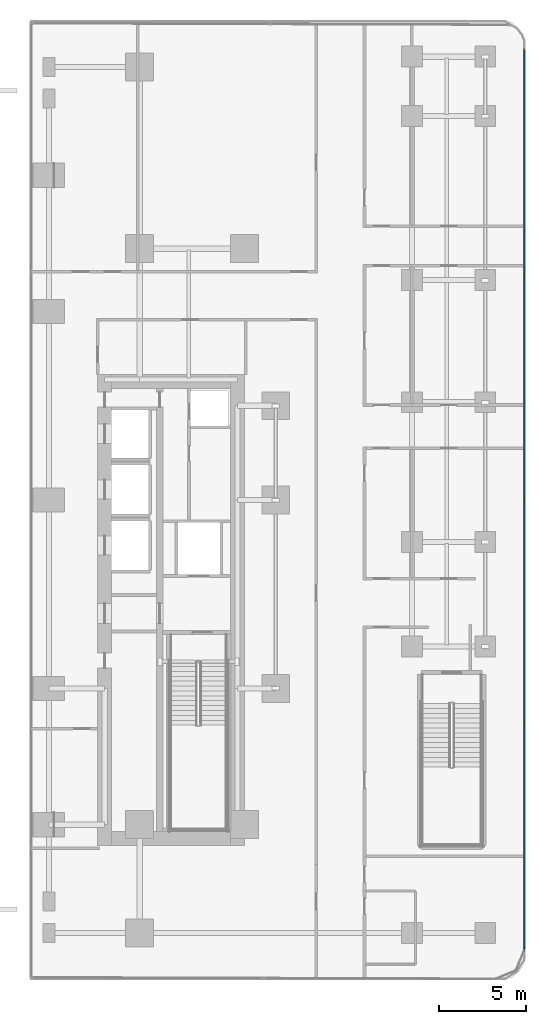
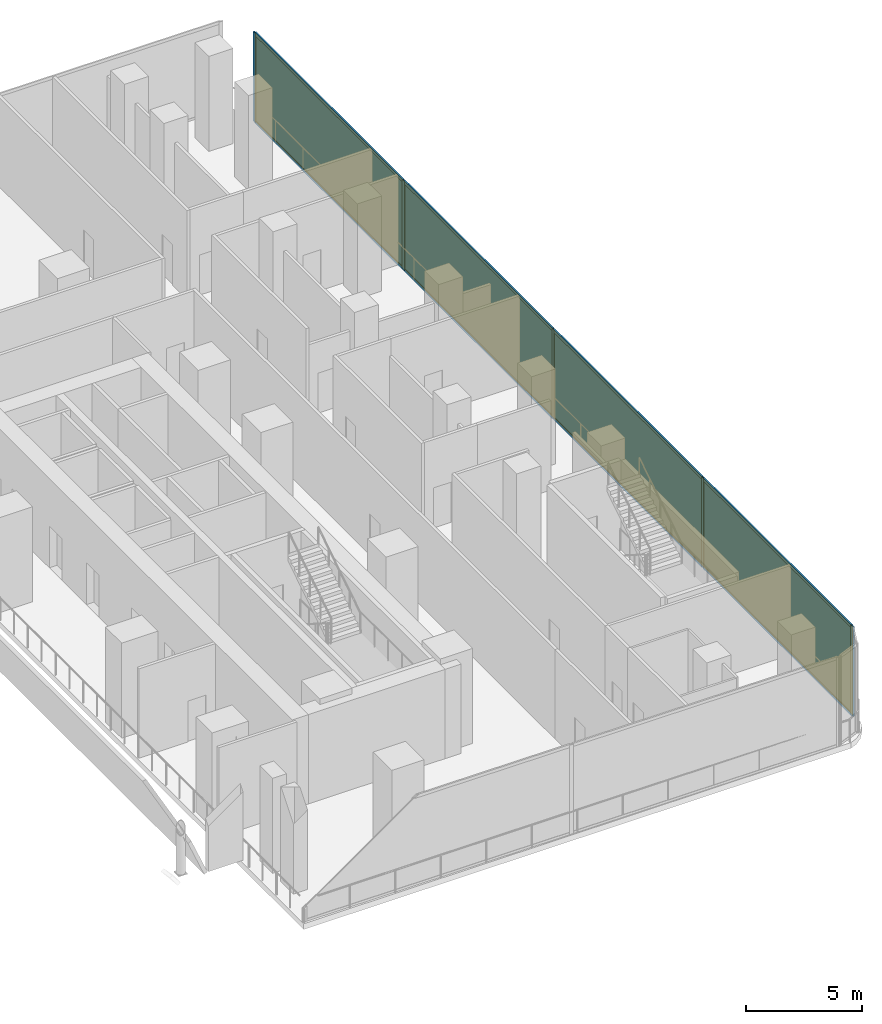
# One storey, part 20 of 31: 13 members, 4 plates, 1 curtain wall.
"""IFC4 building model written with IfcOpenShell, lengths in metres."""

import ifcopenshell
import ifcopenshell.guid

model = None  # the IFC model being written
_history = None  # IfcOwnerHistory: only IFC2X3 demands one
_inside = {}  # id of a spatial element -> (the spatial element, [elements in it])
_under = {}  # id of a project, library or spatial element -> (it, [spatial elements below it])
_declared = {}  # id of a project -> (the project, [libraries it declares])
_typed = {}  # id of a type object -> (the type object, [elements of that type])
_made_of = {}  # id of a material, layer set ... -> (it, [elements and type objects made of it])


def new_model(schema):
    """Start an empty IFC model of exactly this schema.

    Asked for "IFC4X3", IfcOpenShell would pick the latest addendum, in which some entities
    have other attributes; the version numbers below select the first issue.
    IFC2X3 requires an IfcOwnerHistory on every rooted entity: one is made here for all.
    """
    global model, _history
    if schema == "IFC4X3":
        model = ifcopenshell.file(schema_version=(4, 3, 0, 0))
    else:
        model = ifcopenshell.file(schema=schema)
    _inside.clear()
    _under.clear()
    _declared.clear()
    _typed.clear()
    _made_of.clear()
    _history = None
    if model.schema == "IFC2X3":
        org = make("IfcOrganization", Name="unknown")
        user = make(
            "IfcPersonAndOrganization",
            ThePerson=make("IfcPerson", FamilyName="unknown"),
            TheOrganization=org,
        )
        app = make(
            "IfcApplication",
            ApplicationDeveloper=org,
            Version="unknown",
            ApplicationFullName="unknown",
            ApplicationIdentifier="unknown",
        )
        _history = make(
            "IfcOwnerHistory",
            OwningUser=user,
            OwningApplication=app,
            ChangeAction="ADDED",
            CreationDate=0,
        )
    return model


def make(cls, **values):
    """One entity of the class cls with the attributes given. An attribute that is None is left unset."""
    return model.create_entity(
        cls, **{name: value for name, value in values.items() if value is not None}
    )


def rooted(cls, **values):
    """An entity with a GlobalId (a new one), such as an element, a storey or a relation."""
    return make(cls, GlobalId=ifcopenshell.guid.new(), OwnerHistory=_history, **values)


def si_unit(unit_type, name, prefix=None):
    """IfcSIUnit, for example si_unit("LENGTHUNIT", "METRE", prefix="MILLI")."""
    return make("IfcSIUnit", UnitType=unit_type, Prefix=prefix, Name=name)


def assignment(units):
    """IfcUnitAssignment: the units of a project."""
    return None if units is None else make("IfcUnitAssignment", Units=units)


def point(xyz):
    """IfcCartesianPoint."""
    return None if xyz is None else make("IfcCartesianPoint", Coordinates=xyz)


def direction(xyz):
    """IfcDirection."""
    return None if xyz is None else make("IfcDirection", DirectionRatios=xyz)


def frame(location, z_axis=None, x_axis=None):
    """IfcAxis2Placement3D, a coordinate frame: its origin and axes. An axis left out is left unset."""
    return make(
        "IfcAxis2Placement3D",
        Location=point(location),
        Axis=direction(z_axis),
        RefDirection=direction(x_axis),
    )


def frame_2d(location, x_axis=None):
    """IfcAxis2Placement2D, a coordinate frame in the plane: its origin and x axis."""
    return make(
        "IfcAxis2Placement2D", Location=point(location), RefDirection=direction(x_axis)
    )


def origin():
    """The frame at (0, 0, 0) with its axes left unset."""
    return frame((0.0, 0.0, 0.0))


def origin_2d():
    """The frame at (0, 0) in the plane with its x axis left unset."""
    return frame_2d((0.0, 0.0))


def place(relative_to, where):
    """IfcLocalPlacement: puts the frame where relative to a parent placement (None: the world)."""
    return make(
        "IfcLocalPlacement", PlacementRelTo=relative_to, RelativePlacement=where
    )


def context(
    kind, dimensions, precision=None, world=None, true_north=None, identifier=None
):
    """IfcGeometricRepresentationContext, for example the 3D "Model" context."""
    return make(
        "IfcGeometricRepresentationContext",
        ContextIdentifier=identifier,
        ContextType=kind,
        CoordinateSpaceDimension=dimensions,
        Precision=precision,
        WorldCoordinateSystem=world,
        TrueNorth=true_north,
    )


def subcontext(parent, identifier, kind, view, scale=None):
    """IfcGeometricRepresentationSubContext, for example "Body" below "Model"."""
    return make(
        "IfcGeometricRepresentationSubContext",
        ContextIdentifier=identifier,
        ContextType=kind,
        ParentContext=parent,
        TargetScale=scale,
        TargetView=view,
    )


def project(units=None, contexts=None):
    """IfcProject with its units and contexts."""
    return rooted(
        "IfcProject",
        Name="project",
        RepresentationContexts=contexts,
        UnitsInContext=assignment(units),
    )


def spatial(cls, under=None, at=None, **own):
    """A site, building, storey or space (cls), placed at a placement, below another one or the project."""
    s = rooted(cls, ObjectPlacement=at, **own)
    if under is not None:
        _under.setdefault(under.id(), (under, []))[1].append(s)
    return s


def profile(cls, at=None, kind="AREA", **sizes):
    """A parametric profile (cls). Its sizes go by their IFC names, for example OverallWidth=200.0."""
    return make(cls, ProfileType=kind, Position=at, **sizes)


def rectangle(**sizes):
    """IfcRectangleProfileDef."""
    return profile("IfcRectangleProfileDef", **sizes)


def extrude(swept, where, along, depth):
    """IfcExtrudedAreaSolid: the profile swept, set in the frame where, extruded along a direction by depth."""
    return make(
        "IfcExtrudedAreaSolid",
        SweptArea=swept,
        Position=where,
        ExtrudedDirection=direction(along),
        Depth=depth,
    )


def shape(context_of_items, identifier, shape_type, items):
    """IfcShapeRepresentation: the items that make up one representation, for example the "Body"."""
    return make(
        "IfcShapeRepresentation",
        ContextOfItems=context_of_items,
        RepresentationIdentifier=identifier,
        RepresentationType=shape_type,
        Items=items,
    )


def material(Name=None, Category=None):
    """IfcMaterial."""
    return make("IfcMaterial", Name=Name, Category=Category)


def layer(
    of_material, thickness, ventilated=None, Name=None, Category=None, Priority=None
):
    """IfcMaterialLayer: one layer of a wall or slab, of a material (None: an air gap)."""
    return make(
        "IfcMaterialLayer",
        Material=of_material,
        LayerThickness=thickness,
        IsVentilated=ventilated,
        Name=Name,
        Category=Category,
        Priority=Priority,
    )


def layer_set(layers, Name=None):
    """IfcMaterialLayerSet."""
    return make("IfcMaterialLayerSet", MaterialLayers=layers, LayerSetName=Name)


def material_profile(
    of_material, cross_section, Name=None, Category=None, Priority=None
):
    """IfcMaterialProfile: a cross section and its material."""
    return make(
        "IfcMaterialProfile",
        Name=Name,
        Material=of_material,
        Profile=cross_section,
        Priority=Priority,
        Category=Category,
    )


def profile_set(profiles, Name=None, composite=None):
    """IfcMaterialProfileSet."""
    return make(
        "IfcMaterialProfileSet",
        Name=Name,
        MaterialProfiles=profiles,
        CompositeProfile=composite,
    )


def made_of(thing, what):
    """Note that an element or type object is made of a material, layer set ...; save() writes the relation."""
    if what is not None:
        _made_of.setdefault(what.id(), (what, []))[1].append(thing)
    return thing


def type_object(cls, material=None, **own):
    """A type object (cls), such as IfcWallType, which elements share."""
    return made_of(rooted(cls, **own), material)


def element(
    cls,
    number,
    at=None,
    inside=None,
    cuts=None,
    type_object=None,
    material=None,
    context=None,
    identifier="Body",
    shape_type=None,
    held_by="IfcProductDefinitionShape",
    body=None,
    shapes=None,
    **own,
):
    """One element of the class cls, such as IfcWall. Its Tag is "e" and its number.

    at: its placement. inside: the storey or other place that contains it. cuts: it is an
    opening in that element (IfcRelVoidsElement). A single representation is given by context,
    identifier, shape_type and body (its items); several are given by shapes. held_by: the class
    of the entity that holds the representations. save() writes the other relations.
    """
    e = rooted(cls, Tag="e%d" % number, ObjectPlacement=at, **own)
    if body is not None:
        shapes = [shape(context, identifier, shape_type, body)]
    if shapes is not None:
        e.Representation = make(held_by, Representations=shapes)
    if inside is not None:
        _inside.setdefault(inside.id(), (inside, []))[1].append(e)
    if cuts is not None:
        rooted(
            "IfcRelVoidsElement", RelatingBuildingElement=cuts, RelatedOpeningElement=e
        )
    if type_object is not None:
        _typed.setdefault(type_object.id(), (type_object, []))[1].append(e)
    return made_of(e, material)


def aggregate(whole, parts):
    """IfcRelAggregates: a whole, such as a stair, and the parts it consists of."""
    return rooted("IfcRelAggregates", RelatingObject=whole, RelatedObjects=parts)


def save(model, path):
    """Write the relations noted so far, then the file.

    IfcRelAggregates (storeys below a building ...), IfcRelContainedInSpatialStructure (elements
    in a storey), IfcRelDefinesByType, IfcRelAssociatesMaterial and IfcRelDeclares: one each for
    every whole, place, type object, material and project.
    """
    for whole, parts in _under.values():
        aggregate(whole, parts)
    for where, things in _inside.values():
        rooted(
            "IfcRelContainedInSpatialStructure",
            RelatedElements=things,
            RelatingStructure=where,
        )
    for kind, things in _typed.values():
        rooted("IfcRelDefinesByType", RelatedObjects=things, RelatingType=kind)
    for what, things in _made_of.values():
        rooted("IfcRelAssociatesMaterial", RelatedObjects=things, RelatingMaterial=what)
    for by, libraries in _declared.values():
        rooted("IfcRelDeclares", RelatingContext=by, RelatedDefinitions=libraries)
    model.write(path)


model = new_model("IFC4")

# Units and contexts
model_context = context("Model", 3, precision=1e-05, world=origin(), true_north=direction((0.0, 1.0)))
body_context = subcontext(model_context, "Body", "Model", "MODEL_VIEW")
ifc_project = project(units=[si_unit("LENGTHUNIT", "METRE"), si_unit("AREAUNIT", "SQUARE_METRE"), si_unit("VOLUMEUNIT", "CUBIC_METRE"), si_unit("PLANEANGLEUNIT", "RADIAN"), si_unit("MASSUNIT", "GRAM", prefix="KILO")], contexts=[model_context])

# Member
ifc_material_1 = material(Name="Anodised Bronze Aluminium 6063-T6", Category="aluminium")
ifc_material_profile_1 = material_profile(ifc_material_1, rectangle(XDim=0.074951171875, YDim=0.199951171875, at=origin_2d()))
ifc_profile_set_1 = profile_set([ifc_material_profile_1], Name="Anodised Bronze Aluminium 6063-T6")
member_type_1 = type_object("IfcMemberType", Name="CW-POD Mullion 75x200", PredefinedType="MULLION", material=ifc_profile_set_1)
site_placement = place(None, origin())
building_placement = place(site_placement, origin())
storey_placement = place(building_placement, frame((0.0, 0.0, 11.0)))
member_1_placement = place(storey_placement, frame((36.43994140625, 25.751953125, 0.0), z_axis=(0.0, 0.0, 1.0), x_axis=(1.0, 0.0, 0.0)))
member_1 = element("IfcMember", 1, at=member_1_placement, type_object=member_type_1, Name="CW-POD mullion 1", PredefinedType="MULLION", context=body_context, shape_type="SweptSolid", body=[
    extrude(rectangle(XDim=0.074951171875, YDim=0.199951171875, at=origin_2d()), origin(), (0.0, 0.0, 1.0), 4.699951171875),
])

member_2_placement = place(storey_placement, frame((36.43994140625, 12.894775390625, 0.0), z_axis=(0.0, 0.0, 1.0), x_axis=(1.0, 0.0, 0.0)))
member_2 = element("IfcMember", 2, at=member_2_placement, type_object=member_type_1, Name="CW-POD mullion 2", PredefinedType="MULLION", context=body_context, shape_type="SweptSolid", body=[
    extrude(rectangle(XDim=0.074951171875, YDim=0.199951171875, at=origin_2d()), origin(), (0.0, 0.0, 1.0), 4.699951171875),
])

member_3_placement = place(storey_placement, frame((36.43994140625, 0.0, 0.0), z_axis=(0.0, 0.0, 1.0), x_axis=(1.0, 0.0, 0.0)))
member_3 = element("IfcMember", 3, at=member_3_placement, type_object=member_type_1, Name="CW-POD mullion 3", PredefinedType="MULLION", context=body_context, shape_type="SweptSolid", body=[
    extrude(rectangle(XDim=0.074951171875, YDim=0.199951171875, at=origin_2d()), origin(), (0.0, 0.0, 1.0), 4.699951171875),
])

member_4_placement = place(storey_placement, frame((36.43994140625, -12.894775390625, 0.0), z_axis=(0.0, 0.0, 1.0), x_axis=(1.0, 0.0, 0.0)))
member_4 = element("IfcMember", 4, at=member_4_placement, type_object=member_type_1, Name="CW-POD mullion 4", PredefinedType="MULLION", context=body_context, shape_type="SweptSolid", body=[
    extrude(rectangle(XDim=0.074951171875, YDim=0.199951171875, at=origin_2d()), origin(), (0.0, 0.0, 1.0), 4.699951171875),
])

member_5_placement = place(storey_placement, frame((36.43994140625, -25.751953125, 0.0), z_axis=(0.0, 0.0, 1.0), x_axis=(1.0, 0.0, 0.0)))
member_5 = element("IfcMember", 5, at=member_5_placement, type_object=member_type_1, Name="CW-POD mullion 5", PredefinedType="MULLION", context=body_context, shape_type="SweptSolid", body=[
    extrude(rectangle(XDim=0.074951171875, YDim=0.199951171875, at=origin_2d()), origin(), (0.0, 0.0, 1.0), 4.699951171875),
])

ifc_material_2 = material(Name="Anodised Bronze Aluminium 6063-T6", Category="aluminium")
ifc_material_profile_2 = material_profile(ifc_material_2, rectangle(XDim=0.074951171875, YDim=0.159912109375, at=origin_2d()))
ifc_profile_set_2 = profile_set([ifc_material_profile_2], Name="Anodised Bronze Aluminium 6063-T6")
member_type_2 = type_object("IfcMemberType", Name="CW-POD Transom 75x160", PredefinedType="USERDEFINED", material=ifc_profile_set_2)
member_6_placement = place(storey_placement, frame((36.43994140625, 25.714599609375, 0.03759765625), z_axis=(0.0, -1.0, 0.0), x_axis=(1.0, 0.0, 0.0)))
member_6 = element("IfcMember", 6, at=member_6_placement, type_object=member_type_2, Name="CW-POD transom 1.1", ObjectType="TRANSOM", PredefinedType="USERDEFINED", context=body_context, shape_type="SweptSolid", body=[
    extrude(rectangle(XDim=0.074951171875, YDim=0.159912109375, at=origin_2d()), origin(), (0.0, 0.0, 1.0), 12.782470703125),
])

member_7_placement = place(storey_placement, frame((36.43994140625, 25.714599609375, 4.66259765625), z_axis=(0.0, -1.0, 0.0), x_axis=(1.0, 0.0, 0.0)))
member_7 = element("IfcMember", 7, at=member_7_placement, type_object=member_type_2, Name="CW-POD transom 1.2", ObjectType="TRANSOM", PredefinedType="USERDEFINED", context=body_context, shape_type="SweptSolid", body=[
    extrude(rectangle(XDim=0.074951171875, YDim=0.159912109375, at=origin_2d()), origin(), (0.0, 0.0, 1.0), 12.782470703125),
])

member_8_placement = place(storey_placement, frame((36.43994140625, 12.857177734375, 0.03759765625), z_axis=(0.0, -1.0, 0.0), x_axis=(1.0, 0.0, 0.0)))
member_8 = element("IfcMember", 8, at=member_8_placement, type_object=member_type_2, Name="CW-POD transom 2.1", ObjectType="TRANSOM", PredefinedType="USERDEFINED", context=body_context, shape_type="SweptSolid", body=[
    extrude(rectangle(XDim=0.074951171875, YDim=0.159912109375, at=origin_2d()), origin(), (0.0, 0.0, 1.0), 12.819580078125),
])

member_9_placement = place(storey_placement, frame((36.43994140625, 12.857177734375, 4.66259765625), z_axis=(0.0, -1.0, 0.0), x_axis=(1.0, 0.0, 0.0)))
member_9 = element("IfcMember", 9, at=member_9_placement, type_object=member_type_2, Name="CW-POD transom 2.2", ObjectType="TRANSOM", PredefinedType="USERDEFINED", context=body_context, shape_type="SweptSolid", body=[
    extrude(rectangle(XDim=0.074951171875, YDim=0.159912109375, at=origin_2d()), origin(), (0.0, 0.0, 1.0), 12.819580078125),
])

member_10_placement = place(storey_placement, frame((36.43994140625, -0.03759765625, 0.03759765625), z_axis=(0.0, -1.0, 0.0), x_axis=(1.0, 0.0, 0.0)))
member_10 = element("IfcMember", 10, at=member_10_placement, type_object=member_type_2, Name="CW-POD transom 3.1", ObjectType="TRANSOM", PredefinedType="USERDEFINED", context=body_context, shape_type="SweptSolid", body=[
    extrude(rectangle(XDim=0.074951171875, YDim=0.159912109375, at=origin_2d()), origin(), (0.0, 0.0, 1.0), 12.819580078125),
])

member_11_placement = place(storey_placement, frame((36.43994140625, -0.03759765625, 4.66259765625), z_axis=(0.0, -1.0, 0.0), x_axis=(1.0, 0.0, 0.0)))
member_11 = element("IfcMember", 11, at=member_11_placement, type_object=member_type_2, Name="CW-POD transom 3.2", ObjectType="TRANSOM", PredefinedType="USERDEFINED", context=body_context, shape_type="SweptSolid", body=[
    extrude(rectangle(XDim=0.074951171875, YDim=0.159912109375, at=origin_2d()), origin(), (0.0, 0.0, 1.0), 12.819580078125),
])

member_12_placement = place(storey_placement, frame((36.43994140625, -12.93212890625, 0.03759765625), z_axis=(0.0, -1.0, 0.0), x_axis=(1.0, 0.0, 0.0)))
member_12 = element("IfcMember", 12, at=member_12_placement, type_object=member_type_2, Name="CW-POD transom 4.1", ObjectType="TRANSOM", PredefinedType="USERDEFINED", context=body_context, shape_type="SweptSolid", body=[
    extrude(rectangle(XDim=0.074951171875, YDim=0.159912109375, at=origin_2d()), origin(), (0.0, 0.0, 1.0), 12.782470703125),
])

member_13_placement = place(storey_placement, frame((36.43994140625, -12.93212890625, 4.66259765625), z_axis=(0.0, -1.0, 0.0), x_axis=(1.0, 0.0, 0.0)))
member_13 = element("IfcMember", 13, at=member_13_placement, type_object=member_type_2, Name="CW-POD transom 4.2", ObjectType="TRANSOM", PredefinedType="USERDEFINED", context=body_context, shape_type="SweptSolid", body=[
    extrude(rectangle(XDim=0.074951171875, YDim=0.159912109375, at=origin_2d()), origin(), (0.0, 0.0, 1.0), 12.782470703125),
])

# Plate
ifc_material_3 = material(Name="Low-E Solar Control Laminated Glass", Category="glass")
ifc_layer_1 = layer(ifc_material_3, 0.031982421875, Name="Low-E Solar Control Laminated Glass")
ifc_layer_set_1 = layer_set([ifc_layer_1], Name="Low-E Solar Control Laminated Glass")
plate_type = type_object("IfcPlateType", Name="CW-POD Low-E Double Glazed Panel 32mm", PredefinedType="CURTAIN_PANEL", material=ifc_layer_set_1)
plate_1_placement = place(storey_placement, frame((36.43994140625, 19.323486328125, 0.0751953125), z_axis=(0.0, 0.0, 1.0), x_axis=(0.0, -1.0, 0.0)))
plate_1 = element("IfcPlate", 14, at=plate_1_placement, type_object=plate_type, Name="CW-POD panel 1.1", PredefinedType="CURTAIN_PANEL", context=body_context, shape_type="SweptSolid", body=[
    extrude(rectangle(XDim=12.7822265625, YDim=0.031982421875, at=origin_2d()), origin(), (0.0, 0.0, 1.0), 4.550048828125),
])

plate_2_placement = place(storey_placement, frame((36.43994140625, 6.447265625, 0.0751953125), z_axis=(0.0, 0.0, 1.0), x_axis=(0.0, -1.0, 0.0)))
plate_2 = element("IfcPlate", 15, at=plate_2_placement, type_object=plate_type, Name="CW-POD panel 2.1", PredefinedType="CURTAIN_PANEL", context=body_context, shape_type="SweptSolid", body=[
    extrude(rectangle(XDim=12.81982421875, YDim=0.031982421875, at=origin_2d()), origin(), (0.0, 0.0, 1.0), 4.550048828125),
])

plate_3_placement = place(storey_placement, frame((36.43994140625, -6.447265625, 0.0751953125), z_axis=(0.0, 0.0, 1.0), x_axis=(0.0, -1.0, 0.0)))
plate_3 = element("IfcPlate", 16, at=plate_3_placement, type_object=plate_type, Name="CW-POD panel 3.1", PredefinedType="CURTAIN_PANEL", context=body_context, shape_type="SweptSolid", body=[
    extrude(rectangle(XDim=12.81982421875, YDim=0.031982421875, at=origin_2d()), origin(), (0.0, 0.0, 1.0), 4.550048828125),
])

plate_4_placement = place(storey_placement, frame((36.43994140625, -19.323486328125, 0.0751953125), z_axis=(0.0, 0.0, 1.0), x_axis=(0.0, -1.0, 0.0)))
plate_4 = element("IfcPlate", 17, at=plate_4_placement, type_object=plate_type, Name="CW-POD panel 4.1", PredefinedType="CURTAIN_PANEL", context=body_context, shape_type="SweptSolid", body=[
    extrude(rectangle(XDim=12.7822265625, YDim=0.031982421875, at=origin_2d()), origin(), (0.0, 0.0, 1.0), 4.550048828125),
])

# Site, building, storey
site = spatial("IfcSite", under=ifc_project, at=site_placement, CompositionType="ELEMENT")
building = spatial("IfcBuilding", under=site, at=building_placement, Name="Khairoan Windgate Tower", CompositionType="ELEMENT")
storey = spatial("IfcBuildingStorey", under=building, at=storey_placement, Name="L03", CompositionType="ELEMENT", Elevation=11.0)

# Curtain wall
ifc_material_4 = material(Name="Anodised Bronze Aluminium 6063-T6", Category="aluminium")
ifc_layer_2 = layer(ifc_material_4, 0.199951171875, Name="Anodised Bronze Aluminium 6063-T6")
ifc_layer_set_2 = layer_set([ifc_layer_2], Name="Anodised Bronze Aluminium 6063-T6")
curtain_wall_type = type_object("IfcCurtainWallType", Name="Podium Arch Galleria Curtain Wall CW-POD", PredefinedType="NOTDEFINED", material=ifc_layer_set_2)
curtain_wall_placement = place(storey_placement, frame((36.43994140625, 25.78955078125, 0.0), z_axis=(0.0, 0.0, 1.0), x_axis=(0.0, -1.0, 0.0)))
curtain_wall = element("IfcCurtainWall", 18, at=curtain_wall_placement, inside=storey, type_object=curtain_wall_type, Name="L03 Sculpted Podium Wing Curtain Wall 2.5", PredefinedType="NOTDEFINED", context=body_context, shape_type="SweptSolid", body=[
    extrude(rectangle(XDim=51.5791015625, YDim=0.010009765625, at=frame_2d((25.78955078125, 0.0))), origin(), (0.0, 0.0, 1.0), 4.699951171875),
])

aggregate(curtain_wall, [member_1, member_2, member_3, member_4, member_5, member_6, member_7, plate_1, member_8, member_9, plate_2, member_10, member_11, plate_3, member_12, member_13, plate_4])

save(model, "model.ifc")
